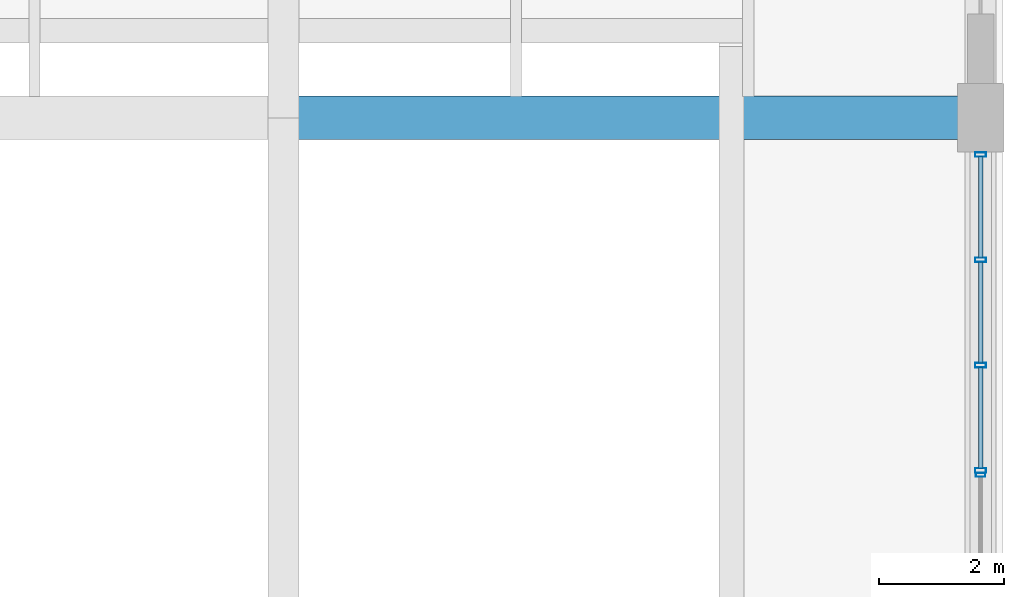
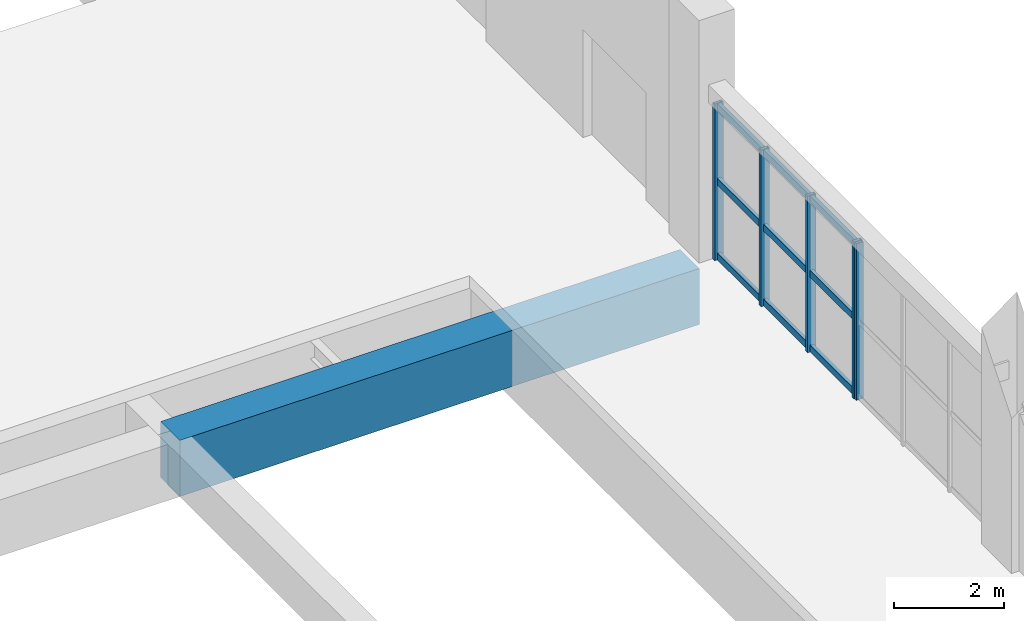
# One storey, part 60 of 113: 14 members, 1 beam, 2 elements without a shape of their own.
"""IFC4 building model written with IfcOpenShell, lengths in metres."""

from ifc_helpers import new_model, si_unit, direction, frame, origin, origin_2d, place, context, subcontext, project, spatial, rectangle, hollow_rectangle, extrude, material, layer, layer_set, material_profile, profile_set, type_object, element, aggregate, save


model = new_model("IFC4")

# Units and contexts
model_context = context("Model", 3, precision=1e-05, world=origin(), true_north=direction((0.0, 1.0)))
body_context = subcontext(model_context, "Body", "Model", "MODEL_VIEW")
ifc_project = project(units=[si_unit("LENGTHUNIT", "METRE"), si_unit("AREAUNIT", "SQUARE_METRE"), si_unit("VOLUMEUNIT", "CUBIC_METRE"), si_unit("PLANEANGLEUNIT", "RADIAN"), si_unit("MASSUNIT", "GRAM", prefix="KILO"), si_unit("POWERUNIT", "WATT"), si_unit("THERMODYNAMICTEMPERATUREUNIT", "KELVIN")], contexts=[model_context])

# Site, building, storey
site_placement = place(None, origin())
site = spatial("IfcSite", under=ifc_project, at=site_placement, CompositionType="ELEMENT")
building_placement = place(site_placement, origin())
building = spatial("IfcBuilding", under=site, at=building_placement, Name="Kelmbourne Parkland Aquatics Centre", CompositionType="ELEMENT")
storey_placement = place(building_placement, origin())
storey = spatial("IfcBuildingStorey", under=building, at=storey_placement, Name="L00", CompositionType="ELEMENT", Elevation=0.0)

# Beam
ifc_material_1 = material(Name="Concrete C50/60", Category="concrete")
ifc_material_profile_1 = material_profile(ifc_material_1, rectangle(XDim=0.699951171875, YDim=1.25, at=origin_2d()), Name="RC 700x1250")
ifc_profile_set_1 = profile_set([ifc_material_profile_1], Name="Concrete C50/60")
beam_type = type_object("IfcBeamType", Name="BM-G08", PredefinedType="BEAM", material=ifc_profile_set_1)
beam_placement = place(storey_placement, frame((164.0, 23.60009765625, -0.905029296875), z_axis=(1.0, 0.0, 0.0), x_axis=(0.0, 1.0, 0.0)))
element("IfcBeam", 1, at=beam_placement, inside=storey, type_object=beam_type, Name="Primary girder S-T Grid 04 (L00)", PredefinedType="BEAM", context=body_context, shape_type="SweptSolid", body=[
    extrude(rectangle(XDim=0.699951171875, YDim=1.25, at=origin_2d()), origin(), (0.0, 0.0, 1.0), 10.945068359375),
])

# Curtain wall, member
ifc_material_2 = material(Name="Thermally broken anodised aluminium framing", Category="aluminium")
ifc_layer_1 = layer(ifc_material_2, 0.179931640625)
ifc_layer_set_1 = layer_set([ifc_layer_1], Name="Thermally broken anodised aluminium framing")
curtain_wall_type_1 = type_object("IfcCurtainWallType", Name="CW-15", PredefinedType="NOTDEFINED", material=ifc_layer_set_1)
curtain_wall_1_placement = place(storey_placement, origin())
curtain_wall_1 = element("IfcCurtainWall", 2, at=curtain_wall_1_placement, inside=storey, type_object=curtain_wall_type_1, Name="Facade curtain wall CW-L00-015", PredefinedType="NOTDEFINED")
ifc_material_profile_2 = material_profile(ifc_material_2, hollow_rectangle(XDim=0.06494140625, YDim=0.14990234375, WallThickness=0.00390625, at=origin_2d()), Name="CW-M 65x150")
ifc_profile_set_2 = profile_set([ifc_material_profile_2], Name="Thermally broken anodised aluminium framing")
member_type_1 = type_object("IfcMemberType", Name="MB-MUL-1", PredefinedType="MULLION", material=ifc_profile_set_2)
member_1_placement = place(storey_placement, frame((175.199951171875, 17.867431640625, 0.0), z_axis=(0.0, 0.0, 1.0), x_axis=(0.0, 1.0, 0.0)))
member_1 = element("IfcMember", 3, at=member_1_placement, type_object=member_type_1, Name="CW-L00-015 mullion 3", PredefinedType="MULLION", context=body_context, shape_type="SweptSolid", body=[
    extrude(hollow_rectangle(XDim=0.06494140625, YDim=0.14990234375, WallThickness=0.00390625, at=origin_2d()), origin(), (0.0, 0.0, 1.0), 3.485107421875),
])
aggregate(curtain_wall_1, [member_1])

# Curtain wall, members
ifc_layer_2 = layer(ifc_material_2, 0.179931640625)
ifc_layer_set_2 = layer_set([ifc_layer_2], Name="Thermally broken anodised aluminium framing")
curtain_wall_type_2 = type_object("IfcCurtainWallType", Name="CW-16", PredefinedType="NOTDEFINED", material=ifc_layer_set_2)
curtain_wall_2_placement = place(storey_placement, origin())
curtain_wall_2 = element("IfcCurtainWall", 4, at=curtain_wall_2_placement, inside=storey, type_object=curtain_wall_type_2, Name="Facade curtain wall CW-L00-016", PredefinedType="NOTDEFINED")
ifc_material_profile_3 = material_profile(ifc_material_2, hollow_rectangle(XDim=0.074951171875, YDim=0.179931640625, WallThickness=0.00439453125, at=origin_2d()), Name="CW-M 75x180")
ifc_profile_set_3 = profile_set([ifc_material_profile_3], Name="Thermally broken anodised aluminium framing")
member_type_2 = type_object("IfcMemberType", Name="MB-MUL-2", PredefinedType="MULLION", material=ifc_profile_set_3)
member_2_placement = place(storey_placement, frame((175.199951171875, 17.9375, 0.0), z_axis=(0.0, 0.0, 1.0), x_axis=(0.0, 1.0, 0.0)))
member_2 = element("IfcMember", 5, at=member_2_placement, type_object=member_type_2, Name="CW-L00-016 mullion 0", PredefinedType="MULLION", context=body_context, shape_type="SweptSolid", body=[
    extrude(hollow_rectangle(XDim=0.074951171875, YDim=0.179931640625, WallThickness=0.00439453125, at=origin_2d()), origin(), (0.0, 0.0, 1.0), 3.485107421875),
])
member_3_placement = place(storey_placement, frame((175.199951171875, 19.62841796875, 0.0), z_axis=(0.0, 0.0, 1.0), x_axis=(0.0, 1.0, 0.0)))
member_3 = element("IfcMember", 6, at=member_3_placement, type_object=member_type_2, Name="CW-L00-016 mullion 1", PredefinedType="MULLION", context=body_context, shape_type="SweptSolid", body=[
    extrude(hollow_rectangle(XDim=0.074951171875, YDim=0.179931640625, WallThickness=0.00439453125, at=origin_2d()), origin(), (0.0, 0.0, 1.0), 3.485107421875),
])
member_4_placement = place(storey_placement, frame((175.199951171875, 21.319580078125, 0.0), z_axis=(0.0, 0.0, 1.0), x_axis=(0.0, 1.0, 0.0)))
member_4 = element("IfcMember", 7, at=member_4_placement, type_object=member_type_2, Name="CW-L00-016 mullion 2", PredefinedType="MULLION", context=body_context, shape_type="SweptSolid", body=[
    extrude(hollow_rectangle(XDim=0.074951171875, YDim=0.179931640625, WallThickness=0.00439453125, at=origin_2d()), origin(), (0.0, 0.0, 1.0), 3.485107421875),
])
member_5_placement = place(storey_placement, frame((175.199951171875, 23.010498046875, 0.0), z_axis=(0.0, 0.0, 1.0), x_axis=(0.0, 1.0, 0.0)))
member_5 = element("IfcMember", 8, at=member_5_placement, type_object=member_type_2, Name="CW-L00-016 mullion 3", PredefinedType="MULLION", context=body_context, shape_type="SweptSolid", body=[
    extrude(hollow_rectangle(XDim=0.074951171875, YDim=0.179931640625, WallThickness=0.00439453125, at=origin_2d()), origin(), (0.0, 0.0, 1.0), 3.485107421875),
])
ifc_material_profile_4 = material_profile(ifc_material_2, hollow_rectangle(XDim=0.074951171875, YDim=0.14990234375, WallThickness=0.00390625, at=origin_2d()), Name="CW-T 75x150")
ifc_profile_set_4 = profile_set([ifc_material_profile_4], Name="Thermally broken anodised aluminium framing")
member_type_3 = type_object("IfcMemberType", Name="MB-TRN-2", PredefinedType="USERDEFINED", material=ifc_profile_set_4)
member_6_placement = place(storey_placement, frame((175.199951171875, 17.970947265625, 0.077880859375), z_axis=(0.0, 1.0, 0.0), x_axis=(-1.0, 0.0, 0.0)))
member_6 = element("IfcMember", 9, at=member_6_placement, type_object=member_type_3, Name="CW-L00-016 transom 0-0", ObjectType="TRANSOM", PredefinedType="USERDEFINED", context=body_context, shape_type="SweptSolid", body=[
    extrude(hollow_rectangle(XDim=0.074951171875, YDim=0.14990234375, WallThickness=0.00390625, at=origin_2d()), origin(), (0.0, 0.0, 1.0), 1.6240234375),
])
member_7_placement = place(storey_placement, frame((175.199951171875, 19.662109375, 0.077880859375), z_axis=(0.0, 1.0, 0.0), x_axis=(-1.0, 0.0, 0.0)))
member_7 = element("IfcMember", 10, at=member_7_placement, type_object=member_type_3, Name="CW-L00-016 transom 0-1", ObjectType="TRANSOM", PredefinedType="USERDEFINED", context=body_context, shape_type="SweptSolid", body=[
    extrude(hollow_rectangle(XDim=0.074951171875, YDim=0.14990234375, WallThickness=0.00390625, at=origin_2d()), origin(), (0.0, 0.0, 1.0), 1.623779296875),
])
member_8_placement = place(storey_placement, frame((175.199951171875, 21.35302734375, 0.077880859375), z_axis=(0.0, 1.0, 0.0), x_axis=(-1.0, 0.0, 0.0)))
member_8 = element("IfcMember", 11, at=member_8_placement, type_object=member_type_3, Name="CW-L00-016 transom 0-2", ObjectType="TRANSOM", PredefinedType="USERDEFINED", context=body_context, shape_type="SweptSolid", body=[
    extrude(hollow_rectangle(XDim=0.074951171875, YDim=0.14990234375, WallThickness=0.00390625, at=origin_2d()), origin(), (0.0, 0.0, 1.0), 1.6240234375),
])
member_9_placement = place(storey_placement, frame((175.199951171875, 17.970947265625, 1.742431640625), z_axis=(0.0, 1.0, 0.0), x_axis=(-1.0, 0.0, 0.0)))
member_9 = element("IfcMember", 12, at=member_9_placement, type_object=member_type_3, Name="CW-L00-016 transom 1-0", ObjectType="TRANSOM", PredefinedType="USERDEFINED", context=body_context, shape_type="SweptSolid", body=[
    extrude(hollow_rectangle(XDim=0.074951171875, YDim=0.14990234375, WallThickness=0.00390625, at=origin_2d()), origin(), (0.0, 0.0, 1.0), 1.6240234375),
])
member_10_placement = place(storey_placement, frame((175.199951171875, 19.662109375, 1.742431640625), z_axis=(0.0, 1.0, 0.0), x_axis=(-1.0, 0.0, 0.0)))
member_10 = element("IfcMember", 13, at=member_10_placement, type_object=member_type_3, Name="CW-L00-016 transom 1-1", ObjectType="TRANSOM", PredefinedType="USERDEFINED", context=body_context, shape_type="SweptSolid", body=[
    extrude(hollow_rectangle(XDim=0.074951171875, YDim=0.14990234375, WallThickness=0.00390625, at=origin_2d()), origin(), (0.0, 0.0, 1.0), 1.623779296875),
])
member_11_placement = place(storey_placement, frame((175.199951171875, 21.35302734375, 1.742431640625), z_axis=(0.0, 1.0, 0.0), x_axis=(-1.0, 0.0, 0.0)))
member_11 = element("IfcMember", 14, at=member_11_placement, type_object=member_type_3, Name="CW-L00-016 transom 1-2", ObjectType="TRANSOM", PredefinedType="USERDEFINED", context=body_context, shape_type="SweptSolid", body=[
    extrude(hollow_rectangle(XDim=0.074951171875, YDim=0.14990234375, WallThickness=0.00390625, at=origin_2d()), origin(), (0.0, 0.0, 1.0), 1.6240234375),
])
member_12_placement = place(storey_placement, frame((175.199951171875, 17.970947265625, 3.406982421875), z_axis=(0.0, 1.0, 0.0), x_axis=(-1.0, 0.0, 0.0)))
member_12 = element("IfcMember", 15, at=member_12_placement, type_object=member_type_3, Name="CW-L00-016 transom 2-0", ObjectType="TRANSOM", PredefinedType="USERDEFINED", context=body_context, shape_type="SweptSolid", body=[
    extrude(hollow_rectangle(XDim=0.074951171875, YDim=0.14990234375, WallThickness=0.00390625, at=origin_2d()), origin(), (0.0, 0.0, 1.0), 1.6240234375),
])
member_13_placement = place(storey_placement, frame((175.199951171875, 19.662109375, 3.406982421875), z_axis=(0.0, 1.0, 0.0), x_axis=(-1.0, 0.0, 0.0)))
member_13 = element("IfcMember", 16, at=member_13_placement, type_object=member_type_3, Name="CW-L00-016 transom 2-1", ObjectType="TRANSOM", PredefinedType="USERDEFINED", context=body_context, shape_type="SweptSolid", body=[
    extrude(hollow_rectangle(XDim=0.074951171875, YDim=0.14990234375, WallThickness=0.00390625, at=origin_2d()), origin(), (0.0, 0.0, 1.0), 1.623779296875),
])
member_14_placement = place(storey_placement, frame((175.199951171875, 21.35302734375, 3.406982421875), z_axis=(0.0, 1.0, 0.0), x_axis=(-1.0, 0.0, 0.0)))
member_14 = element("IfcMember", 17, at=member_14_placement, type_object=member_type_3, Name="CW-L00-016 transom 2-2", ObjectType="TRANSOM", PredefinedType="USERDEFINED", context=body_context, shape_type="SweptSolid", body=[
    extrude(hollow_rectangle(XDim=0.074951171875, YDim=0.14990234375, WallThickness=0.00390625, at=origin_2d()), origin(), (0.0, 0.0, 1.0), 1.6240234375),
])
aggregate(curtain_wall_2, [member_2, member_3, member_4, member_5, member_6, member_7, member_8, member_9, member_10, member_11, member_12, member_13, member_14])

save(model, "model.ifc")
